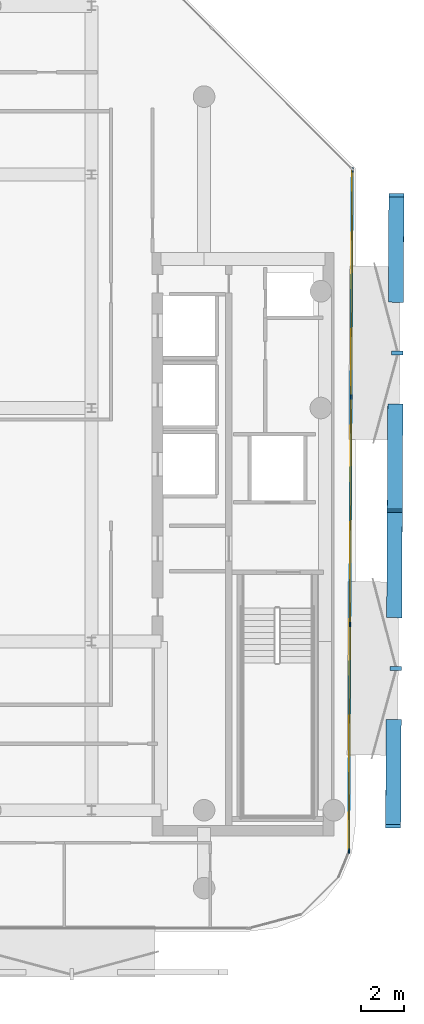
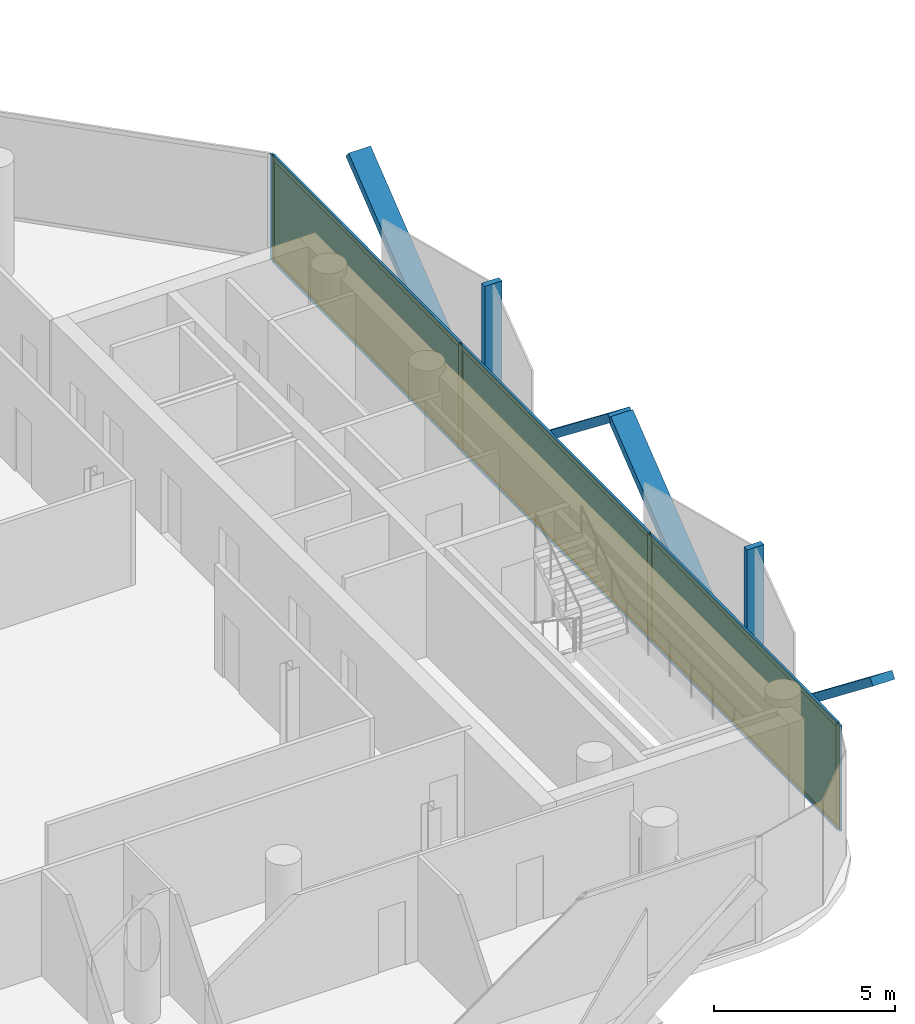
# One storey, part 11 of 16: 16 members, 3 plates, 1 curtain wall.
"""IFC4 building model written with IfcOpenShell, lengths in metres."""

from ifc_helpers import new_model, si_unit, direction, frame, frame_2d, origin, origin_2d, place, context, subcontext, project, spatial, rectangle, extrude, material, layer, layer_set, material_profile, profile_set, type_object, element, aggregate, save


model = new_model("IFC4")

# Units and contexts
model_context = context("Model", 3, precision=1e-05, world=origin(), true_north=direction((0.0, 1.0)))
body_context = subcontext(model_context, "Body", "Model", "MODEL_VIEW")
ifc_project = project(units=[si_unit("LENGTHUNIT", "METRE"), si_unit("AREAUNIT", "SQUARE_METRE"), si_unit("VOLUMEUNIT", "CUBIC_METRE"), si_unit("PLANEANGLEUNIT", "RADIAN"), si_unit("MASSUNIT", "GRAM", prefix="KILO")], contexts=[model_context])

# Member
ifc_material_1 = material(Name="Anodised Bronze Aluminium 6063-T6", Category="aluminium")
ifc_material_profile_1 = material_profile(ifc_material_1, rectangle(XDim=0.260009765625, YDim=0.699951171875, at=origin_2d()))
ifc_profile_set_1 = profile_set([ifc_material_profile_1], Name="Anodised Bronze Aluminium 6063-T6")
member_type_1 = type_object("IfcMemberType", Name="Bronze Diamond Solar-Screen Lattice Rib BDL-700", PredefinedType="MULLION", material=ifc_profile_set_1)
site_placement = place(None, origin())
building_placement = place(site_placement, origin())
storey_placement = place(building_placement, frame((0.0, 0.0, 296.60009765625)))
member_1_placement = place(storey_placement, frame((23.243408203125, 0.10693359375, -0.130126953125), z_axis=(-0.004074850141, -0.787909858398, 0.615777111165), x_axis=(-0.008420435127, -0.615733356937, -0.787909594704)))
member_1 = element("IfcMember", 1, at=member_1_placement, type_object=member_type_1, Name="L71 Bronze Diamond Solar Screen Lattice Rib 500A", PredefinedType="MULLION", context=body_context, shape_type="SweptSolid", body=[
    extrude(rectangle(XDim=0.260009765625, YDim=0.699951171875, at=origin_2d()), origin(), (0.0, 0.0, 1.0), 6.171142578125),
])

member_2_placement = place(storey_placement, frame((23.2685546875, 4.96923828125, -0.130126953125), z_axis=(0.004074850141, 0.787909858398, 0.615777111165), x_axis=(0.008420435127, 0.615733356937, -0.787909594704)))
member_2 = element("IfcMember", 2, at=member_2_placement, type_object=member_type_1, Name="L71 Bronze Diamond Solar Screen Lattice Rib 500B", PredefinedType="MULLION", context=body_context, shape_type="SweptSolid", body=[
    extrude(rectangle(XDim=0.260009765625, YDim=0.699951171875, at=origin_2d()), origin(), (0.0, 0.0, 1.0), 6.171142578125),
])

member_3_placement = place(storey_placement, frame((23.16796875, -14.47998046875, -0.130126953125), z_axis=(-0.004074850141, -0.787909858398, 0.615777111165), x_axis=(-0.008420435127, -0.615733356937, -0.787909594704)))
member_3 = element("IfcMember", 3, at=member_3_placement, type_object=member_type_1, Name="L71 Bronze Diamond Solar Screen Lattice Rib 501A", PredefinedType="MULLION", context=body_context, shape_type="SweptSolid", body=[
    extrude(rectangle(XDim=0.260009765625, YDim=0.699951171875, at=origin_2d()), origin(), (0.0, 0.0, 1.0), 6.171142578125),
])

member_4_placement = place(storey_placement, frame((23.193115234375, -9.61767578125, -0.130126953125), z_axis=(0.004074850141, 0.787909858398, 0.615777111165), x_axis=(0.008420435127, 0.615733356937, -0.787909594704)))
member_4 = element("IfcMember", 4, at=member_4_placement, type_object=member_type_1, Name="L71 Bronze Diamond Solar Screen Lattice Rib 501B", PredefinedType="MULLION", context=body_context, shape_type="SweptSolid", body=[
    extrude(rectangle(XDim=0.260009765625, YDim=0.699951171875, at=origin_2d()), origin(), (0.0, 0.0, 1.0), 6.171142578125),
])

ifc_material_2 = material(Name="Anodised Bronze Aluminium 6063-T6", Category="aluminium")
ifc_material_profile_2 = material_profile(ifc_material_2, rectangle(XDim=0.179931640625, YDim=0.5400390625, at=origin_2d()))
ifc_profile_set_2 = profile_set([ifc_material_profile_2], Name="Anodised Bronze Aluminium 6063-T6")
member_type_2 = type_object("IfcMemberType", Name="Bronze Solar-Screen Vertical Fold Fin BSF-540", PredefinedType="MULLION", material=ifc_profile_set_2)
member_5_placement = place(storey_placement, frame((23.3359375, 2.53759765625, -0.130126953125), z_axis=(0.0, 0.0, 1.0), x_axis=(-0.005235963831, -0.999986292247, 0.0)))
member_5 = element("IfcMember", 5, at=member_5_placement, type_object=member_type_2, Name="L71 Bronze Solar Screen Vertical Fin 500", PredefinedType="MULLION", context=body_context, shape_type="SweptSolid", body=[
    extrude(rectangle(XDim=0.179931640625, YDim=0.5400390625, at=origin_2d()), origin(), (0.0, 0.0, 1.0), 3.800048828125),
])

member_6_placement = place(storey_placement, frame((23.260498046875, -12.04931640625, -0.130126953125), z_axis=(0.0, 0.0, 1.0), x_axis=(-0.005235963831, -0.999986292247, 0.0)))
member_6 = element("IfcMember", 6, at=member_6_placement, type_object=member_type_2, Name="L71 Bronze Solar Screen Vertical Fin 501", PredefinedType="MULLION", context=body_context, shape_type="SweptSolid", body=[
    extrude(rectangle(XDim=0.179931640625, YDim=0.5400390625, at=origin_2d()), origin(), (0.0, 0.0, 1.0), 3.800048828125),
])

ifc_material_3 = material(Name="Anodised Bronze Aluminium 6063-T6", Category="aluminium")
ifc_material_profile_3 = material_profile(ifc_material_3, rectangle(XDim=0.074951171875, YDim=0.2099609375, at=origin_2d()))
ifc_profile_set_3 = profile_set([ifc_material_profile_3], Name="Anodised Bronze Aluminium 6063-T6")
member_type_3 = type_object("IfcMemberType", Name="CW-CRN Mullion 75x210", PredefinedType="MULLION", material=ifc_profile_set_3)
member_7_placement = place(storey_placement, frame((21.259765625, 11.00439453125, 0.0), z_axis=(0.0, 0.0, 1.0), x_axis=(0.999986608956, -0.005175123979, 0.0)))
member_7 = element("IfcMember", 7, at=member_7_placement, type_object=member_type_3, Name="CW-CRN mullion 1", PredefinedType="MULLION", context=body_context, shape_type="SweptSolid", body=[
    extrude(rectangle(XDim=0.074951171875, YDim=0.2099609375, at=origin_2d()), origin(), (0.0, 0.0, 1.0), 3.539794921875),
])

member_8_placement = place(storey_placement, frame((21.20556640625, 0.517333984375, 0.0), z_axis=(0.0, 0.0, 1.0), x_axis=(0.999986608956, -0.005175123979, 0.0)))
member_8 = element("IfcMember", 8, at=member_8_placement, type_object=member_type_3, Name="CW-CRN mullion 2", PredefinedType="MULLION", context=body_context, shape_type="SweptSolid", body=[
    extrude(rectangle(XDim=0.074951171875, YDim=0.2099609375, at=origin_2d()), origin(), (0.0, 0.0, 1.0), 3.539794921875),
])

member_9_placement = place(storey_placement, frame((21.151123046875, -10.007080078125, 0.0), z_axis=(0.0, 0.0, 1.0), x_axis=(0.999986608956, -0.005175123979, 0.0)))
member_9 = element("IfcMember", 9, at=member_9_placement, type_object=member_type_3, Name="CW-CRN mullion 3", PredefinedType="MULLION", context=body_context, shape_type="SweptSolid", body=[
    extrude(rectangle(XDim=0.074951171875, YDim=0.2099609375, at=origin_2d()), origin(), (0.0, 0.0, 1.0), 3.539794921875),
])

member_10_placement = place(storey_placement, frame((21.0966796875, -20.494140625, 0.0), z_axis=(0.0, 0.0, 1.0), x_axis=(0.999986608956, -0.005175123979, 0.0)))
member_10 = element("IfcMember", 10, at=member_10_placement, type_object=member_type_3, Name="CW-CRN mullion 4", PredefinedType="MULLION", context=body_context, shape_type="SweptSolid", body=[
    extrude(rectangle(XDim=0.074951171875, YDim=0.2099609375, at=origin_2d()), origin(), (0.0, 0.0, 1.0), 3.539794921875),
])

ifc_material_4 = material(Name="Anodised Bronze Aluminium 6063-T6", Category="aluminium")
ifc_material_profile_4 = material_profile(ifc_material_4, rectangle(XDim=0.074951171875, YDim=0.1650390625, at=origin_2d()))
ifc_profile_set_4 = profile_set([ifc_material_profile_4], Name="Anodised Bronze Aluminium 6063-T6")
member_type_4 = type_object("IfcMemberType", Name="CW-CRN Transom 75x165", PredefinedType="USERDEFINED", material=ifc_profile_set_4)
member_11_placement = place(storey_placement, frame((21.259521484375, 10.967041015625, 0.037353515625), z_axis=(-0.005158438214, -0.999986695169, 0.0), x_axis=(0.999986695169, -0.005158438214, 0.0)))
member_11 = element("IfcMember", 11, at=member_11_placement, type_object=member_type_4, Name="CW-CRN transom 1.1", ObjectType="TRANSOM", PredefinedType="USERDEFINED", context=body_context, shape_type="SweptSolid", body=[
    extrude(rectangle(XDim=0.074951171875, YDim=0.1650390625, at=origin_2d()), origin(), (0.0, 0.0, 1.0), 10.412353515625),
])

member_12_placement = place(storey_placement, frame((21.259521484375, 10.967041015625, 3.50244140625), z_axis=(-0.005158438214, -0.999986695169, 0.0), x_axis=(0.999986695169, -0.005158438214, 0.0)))
member_12 = element("IfcMember", 12, at=member_12_placement, type_object=member_type_4, Name="CW-CRN transom 1.2", ObjectType="TRANSOM", PredefinedType="USERDEFINED", context=body_context, shape_type="SweptSolid", body=[
    extrude(rectangle(XDim=0.074951171875, YDim=0.1650390625, at=origin_2d()), origin(), (0.0, 0.0, 1.0), 10.412353515625),
])

member_13_placement = place(storey_placement, frame((21.205322265625, 0.47998046875, 0.037353515625), z_axis=(-0.005163241301, -0.999986670381, 0.0), x_axis=(0.999986670381, -0.005163241301, 0.0)))
member_13 = element("IfcMember", 13, at=member_13_placement, type_object=member_type_4, Name="CW-CRN transom 2.1", ObjectType="TRANSOM", PredefinedType="USERDEFINED", context=body_context, shape_type="SweptSolid", body=[
    extrude(rectangle(XDim=0.074951171875, YDim=0.1650390625, at=origin_2d()), origin(), (0.0, 0.0, 1.0), 10.449951171875),
])

member_14_placement = place(storey_placement, frame((21.205322265625, 0.47998046875, 3.50244140625), z_axis=(-0.005163241301, -0.999986670381, 0.0), x_axis=(0.999986670381, -0.005163241301, 0.0)))
member_14 = element("IfcMember", 14, at=member_14_placement, type_object=member_type_4, Name="CW-CRN transom 2.2", ObjectType="TRANSOM", PredefinedType="USERDEFINED", context=body_context, shape_type="SweptSolid", body=[
    extrude(rectangle(XDim=0.074951171875, YDim=0.1650390625, at=origin_2d()), origin(), (0.0, 0.0, 1.0), 10.449951171875),
])

member_15_placement = place(storey_placement, frame((21.15087890625, -10.044677734375, 0.037353515625), z_axis=(-0.005181885032, -0.999986573944, 0.0), x_axis=(0.999986573944, -0.005181885032, 0.0)))
member_15 = element("IfcMember", 15, at=member_15_placement, type_object=member_type_4, Name="CW-CRN transom 3.1", ObjectType="TRANSOM", PredefinedType="USERDEFINED", context=body_context, shape_type="SweptSolid", body=[
    extrude(rectangle(XDim=0.074951171875, YDim=0.1650390625, at=origin_2d()), origin(), (0.0, 0.0, 1.0), 10.412353515625),
])

member_16_placement = place(storey_placement, frame((21.15087890625, -10.044677734375, 3.50244140625), z_axis=(-0.005181885032, -0.999986573944, 0.0), x_axis=(0.999986573944, -0.005181885032, 0.0)))
member_16 = element("IfcMember", 16, at=member_16_placement, type_object=member_type_4, Name="CW-CRN transom 3.2", ObjectType="TRANSOM", PredefinedType="USERDEFINED", context=body_context, shape_type="SweptSolid", body=[
    extrude(rectangle(XDim=0.074951171875, YDim=0.1650390625, at=origin_2d()), origin(), (0.0, 0.0, 1.0), 10.412353515625),
])

# Plate
ifc_material_5 = material(Name="Low-E Solar Control Laminated Glass", Category="glass")
ifc_layer_1 = layer(ifc_material_5, 0.035888671875, Name="Low-E Solar Control Laminated Glass")
ifc_layer_set_1 = layer_set([ifc_layer_1], Name="Low-E Solar Control Laminated Glass")
plate_type = type_object("IfcPlateType", Name="CW-CRN Low-E Double Glazed Panel 36mm", PredefinedType="CURTAIN_PANEL", material=ifc_layer_set_1)
plate_1_placement = place(storey_placement, frame((21.232666015625, 5.760986328125, 0.0751953125), z_axis=(0.0, 0.0, 1.0), x_axis=(-0.005175123979, -0.999986608956, 0.0)))
plate_1 = element("IfcPlate", 17, at=plate_1_placement, type_object=plate_type, Name="CW-CRN panel 1.1", PredefinedType="CURTAIN_PANEL", context=body_context, shape_type="SweptSolid", body=[
    extrude(rectangle(XDim=10.412109375, YDim=0.035888671875, at=origin_2d()), origin(), (0.0, 0.0, 1.0), 3.389892578125),
])

plate_2_placement = place(storey_placement, frame((21.17822265625, -4.744873046875, 0.0751953125), z_axis=(0.0, 0.0, 1.0), x_axis=(-0.005175123979, -0.999986608956, 0.0)))
plate_2 = element("IfcPlate", 18, at=plate_2_placement, type_object=plate_type, Name="CW-CRN panel 2.1", PredefinedType="CURTAIN_PANEL", context=body_context, shape_type="SweptSolid", body=[
    extrude(rectangle(XDim=10.44970703125, YDim=0.035888671875, at=origin_2d()), origin(), (0.0, 0.0, 1.0), 3.389892578125),
])

plate_3_placement = place(storey_placement, frame((21.1240234375, -15.250732421875, 0.0751953125), z_axis=(0.0, 0.0, 1.0), x_axis=(-0.005175123979, -0.999986608956, 0.0)))
plate_3 = element("IfcPlate", 19, at=plate_3_placement, type_object=plate_type, Name="CW-CRN panel 3.1", PredefinedType="CURTAIN_PANEL", context=body_context, shape_type="SweptSolid", body=[
    extrude(rectangle(XDim=10.412109375, YDim=0.035888671875, at=origin_2d()), origin(), (0.0, 0.0, 1.0), 3.389892578125),
])

# Site, building, storey
site = spatial("IfcSite", under=ifc_project, at=site_placement, CompositionType="ELEMENT")
building = spatial("IfcBuilding", under=site, at=building_placement, Name="Khairoan Windgate Tower", CompositionType="ELEMENT")
storey = spatial("IfcBuildingStorey", under=building, at=storey_placement, Name="L71", CompositionType="ELEMENT", Elevation=296.60009765625)

# Curtain wall
ifc_material_6 = material(Name="Anodised Bronze Aluminium 6063-T6", Category="aluminium")
ifc_layer_2 = layer(ifc_material_6, 0.2099609375, Name="Anodised Bronze Aluminium 6063-T6")
ifc_layer_set_2 = layer_set([ifc_layer_2], Name="Anodised Bronze Aluminium 6063-T6")
curtain_wall_type = type_object("IfcCurtainWallType", Name="Crown Observation and Vitrine Curtain Wall CW-CRN", PredefinedType="NOTDEFINED", material=ifc_layer_set_2)
curtain_wall_placement = place(storey_placement, frame((21.260009765625, 11.0419921875, 0.0), z_axis=(0.0, 0.0, 1.0), x_axis=(-0.005172904513, -0.99998662044, 0.0)))
curtain_wall = element("IfcCurtainWall", 20, at=curtain_wall_placement, inside=storey, type_object=curtain_wall_type, Name="L71 Unitised Curtain Wall 9", PredefinedType="NOTDEFINED", context=body_context, shape_type="SweptSolid", body=[
    extrude(rectangle(XDim=31.57421875, YDim=0.010009765625, at=frame_2d((15.787109375, 0.0))), origin(), (0.0, 0.0, 1.0), 3.539794921875),
])

aggregate(curtain_wall, [member_7, member_8, member_9, member_10, member_11, member_12, plate_1, member_13, member_14, plate_2, member_15, member_16, plate_3, member_1, member_2, member_5, member_3, member_4, member_6])

save(model, "model.ifc")
